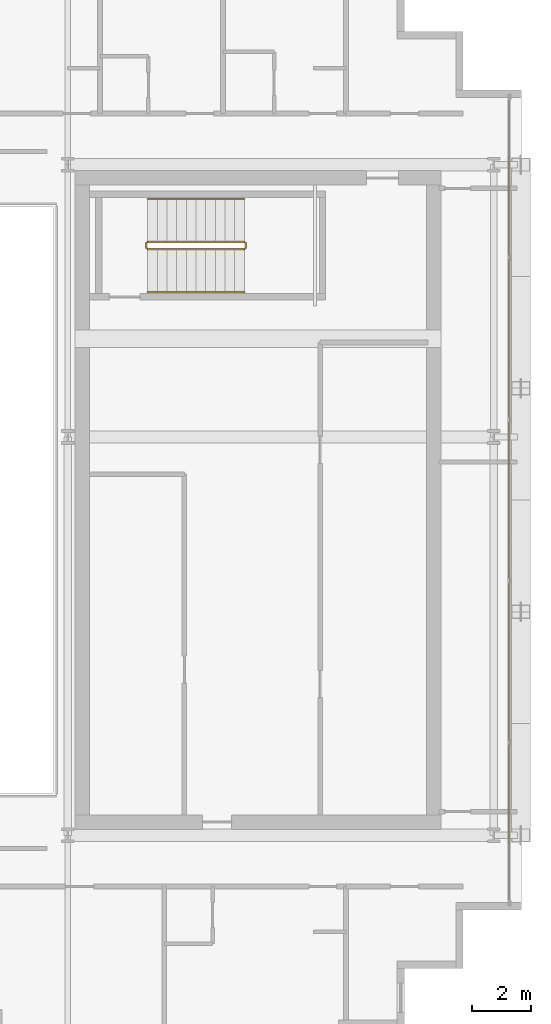
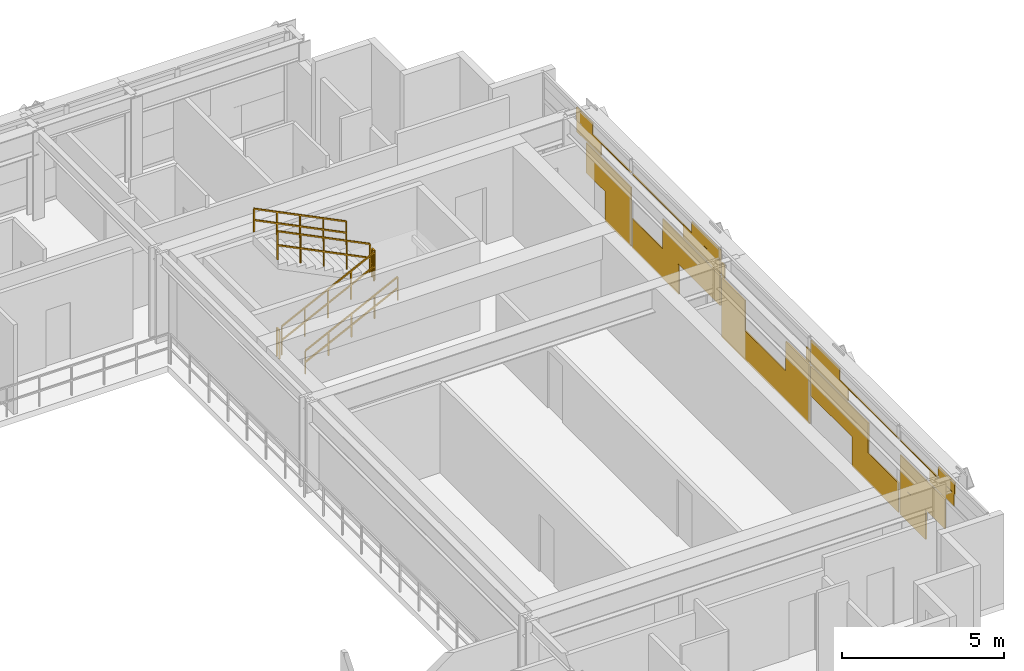
# One storey, part 31 of 32: 6 railings, 1 covering.
"""IFC4 building model written with IfcOpenShell, lengths in metres."""

from ifc_helpers import new_model, si_unit, direction, frame, origin, origin_2d, place, context, subcontext, project, spatial, rectangle, extrude, material, layer, layer_set, type_object, element, save


model = new_model("IFC4")

# Units and contexts
model_context = context("Model", 3, precision=1e-05, world=origin(), true_north=direction((0.0, 1.0)))
body_context = subcontext(model_context, "Body", "Model", "MODEL_VIEW")
ifc_project = project(units=[si_unit("LENGTHUNIT", "METRE"), si_unit("AREAUNIT", "SQUARE_METRE"), si_unit("VOLUMEUNIT", "CUBIC_METRE"), si_unit("PLANEANGLEUNIT", "RADIAN"), si_unit("MASSUNIT", "GRAM", prefix="KILO")], contexts=[model_context])

# Site, building, storey
site_placement = place(None, origin())
site = spatial("IfcSite", under=ifc_project, at=site_placement, CompositionType="ELEMENT")
building_placement = place(site_placement, origin())
building = spatial("IfcBuilding", under=site, at=building_placement, Name="Ocotamira Hotel", CompositionType="ELEMENT")
storey_placement = place(building_placement, frame((0.0, 0.0, 184.800048828125)))
storey = spatial("IfcBuildingStorey", under=building, at=storey_placement, Name="L46", CompositionType="ELEMENT", Elevation=184.800048828125)

# Covering
ifc_material_1 = material(Name="Insulated pale-metal aluminium spandrel panel", Category="aluminium")
ifc_layer = layer(ifc_material_1, 0.044921875)
ifc_layer_set = layer_set([ifc_layer], Name="Insulated pale-metal aluminium spandrel panel")
covering_type = type_object("IfcCoveringType", Name="COV-INFILL-45", PredefinedType="CLADDING", material=ifc_layer_set)
covering_placement = place(storey_placement, origin())
element("IfcCovering", 1, at=covering_placement, inside=storey, type_object=covering_type, Name="L46 Curtain Wall Infill CW-4 CW-L46-E", PredefinedType="CLADDING", context=body_context, shape_type="SweptSolid", body=[
    extrude(rectangle(XDim=2.782958984375, YDim=0.044921875, at=origin_2d()), frame((55.580078125, 16.2880859375, 1.19384765625), z_axis=(0.0, 0.0, 1.0), x_axis=(0.0, 1.0, 0.0)), (0.0, 0.0, 1.0), 1.117919921875),
    extrude(rectangle(XDim=1.596923828125, YDim=0.044921875, at=origin_2d()), frame((55.580078125, 16.881103515625, 0.0751953125), z_axis=(0.0, 0.0, 1.0), x_axis=(0.0, 1.0, 0.0)), (0.0, 0.0, 1.0), 1.117919921875),
    extrude(rectangle(XDim=3.38720703125, YDim=0.044921875, at=origin_2d()), frame((55.580078125, 15.98583984375, 2.8486328125), z_axis=(0.0, 0.0, 1.0), x_axis=(0.0, 1.0, 0.0)), (0.0, 0.0, 1.0), 0.033203125),
    extrude(rectangle(XDim=1.019287109375, YDim=0.044921875, at=origin_2d()), frame((55.580078125, 14.8017578125, 2.883056640625), z_axis=(0.0, 0.0, 1.0), x_axis=(0.0, 1.0, 0.0)), (0.0, 0.0, 1.0), 0.41162109375),
    extrude(rectangle(XDim=1.507568359375, YDim=0.044921875, at=origin_2d()), frame((55.580078125, 15.082275390625, 2.38818359375), z_axis=(0.0, 0.0, 1.0), x_axis=(0.0, 1.0, 0.0)), (0.0, 0.0, 1.0), 0.459716796875),
    extrude(rectangle(XDim=2.89013671875, YDim=0.044921875, at=origin_2d()), frame((55.580078125, 19.20556640625, 0.0751953125), z_axis=(0.0, 0.0, 1.0), x_axis=(0.0, 1.0, 0.0)), (0.0, 0.0, 1.0), 1.117919921875),
    extrude(rectangle(XDim=3.568115234375, YDim=0.044921875, at=origin_2d()), frame((55.580078125, 21.41552734375, 1.19384765625), z_axis=(0.0, 0.0, 1.0), x_axis=(0.0, 1.0, 0.0)), (0.0, 0.0, 1.0), 1.117919921875),
    extrude(rectangle(XDim=5.43896484375, YDim=0.044921875, at=origin_2d()), frame((55.580078125, 20.47998046875, 2.8486328125), z_axis=(0.0, 0.0, 1.0), x_axis=(0.0, 1.0, 0.0)), (0.0, 0.0, 1.0), 0.033203125),
    extrude(rectangle(XDim=2.302490234375, YDim=0.044921875, at=origin_2d()), frame((55.580078125, 22.04833984375, 2.38818359375), z_axis=(0.0, 0.0, 1.0), x_axis=(0.0, 1.0, 0.0)), (0.0, 0.0, 1.0), 0.459716796875),
    extrude(rectangle(XDim=1.777587890625, YDim=0.044921875, at=origin_2d()), frame((55.580078125, 22.310791015625, 2.883056640625), z_axis=(0.0, 0.0, 1.0), x_axis=(0.0, 1.0, 0.0)), (0.0, 0.0, 1.0), 0.41162109375),
    extrude(rectangle(XDim=5.43896484375, YDim=0.044921875, at=origin_2d()), frame((55.580078125, 26.0, 0.0751953125), z_axis=(0.0, 0.0, 1.0), x_axis=(0.0, 1.0, 0.0)), (0.0, 0.0, 1.0), 1.117919921875),
    extrude(rectangle(XDim=1.45458984375, YDim=0.044921875, at=origin_2d()), frame((55.580078125, 24.0078125, 1.19384765625), z_axis=(0.0, 0.0, 1.0), x_axis=(0.0, 1.0, 0.0)), (0.0, 0.0, 1.0), 1.117919921875),
    extrude(rectangle(XDim=1.45458984375, YDim=0.044921875, at=origin_2d()), frame((55.580078125, 27.9921875, 1.19384765625), z_axis=(0.0, 0.0, 1.0), x_axis=(0.0, 1.0, 0.0)), (0.0, 0.0, 1.0), 1.117919921875),
    extrude(rectangle(XDim=0.18896484375, YDim=0.044921875, at=origin_2d()), frame((55.580078125, 23.375, 2.38818359375), z_axis=(0.0, 0.0, 1.0), x_axis=(0.0, 1.0, 0.0)), (0.0, 0.0, 1.0), 0.493896484375),
    extrude(rectangle(XDim=0.18896484375, YDim=0.044921875, at=origin_2d()), frame((55.580078125, 28.625, 2.38818359375), z_axis=(0.0, 0.0, 1.0), x_axis=(0.0, 1.0, 0.0)), (0.0, 0.0, 1.0), 0.493896484375),
    extrude(rectangle(XDim=3.568115234375, YDim=0.044921875, at=origin_2d()), frame((55.580078125, 30.58447265625, 1.19384765625), z_axis=(0.0, 0.0, 1.0), x_axis=(0.0, 1.0, 0.0)), (0.0, 0.0, 1.0), 1.117919921875),
    extrude(rectangle(XDim=2.89013671875, YDim=0.044921875, at=origin_2d()), frame((55.580078125, 32.79443359375, 0.0751953125), z_axis=(0.0, 0.0, 1.0), x_axis=(0.0, 1.0, 0.0)), (0.0, 0.0, 1.0), 1.117919921875),
    extrude(rectangle(XDim=2.302490234375, YDim=0.044921875, at=origin_2d()), frame((55.580078125, 29.95166015625, 2.38818359375), z_axis=(0.0, 0.0, 1.0), x_axis=(0.0, 1.0, 0.0)), (0.0, 0.0, 1.0), 0.459716796875),
    extrude(rectangle(XDim=5.43896484375, YDim=0.044921875, at=origin_2d()), frame((55.580078125, 31.52001953125, 2.8486328125), z_axis=(0.0, 0.0, 1.0), x_axis=(0.0, 1.0, 0.0)), (0.0, 0.0, 1.0), 0.033203125),
    extrude(rectangle(XDim=1.777587890625, YDim=0.044921875, at=origin_2d()), frame((55.580078125, 29.689208984375, 2.883056640625), z_axis=(0.0, 0.0, 1.0), x_axis=(0.0, 1.0, 0.0)), (0.0, 0.0, 1.0), 0.41162109375),
    extrude(rectangle(XDim=1.596923828125, YDim=0.044921875, at=origin_2d()), frame((55.580078125, 35.118896484375, 0.0751953125), z_axis=(0.0, 0.0, 1.0), x_axis=(0.0, 1.0, 0.0)), (0.0, 0.0, 1.0), 1.117919921875),
    extrude(rectangle(XDim=2.782958984375, YDim=0.044921875, at=origin_2d()), frame((55.580078125, 35.7119140625, 1.19384765625), z_axis=(0.0, 0.0, 1.0), x_axis=(0.0, 1.0, 0.0)), (0.0, 0.0, 1.0), 1.117919921875),
    extrude(rectangle(XDim=3.38720703125, YDim=0.044921875, at=origin_2d()), frame((55.580078125, 36.01416015625, 2.8486328125), z_axis=(0.0, 0.0, 1.0), x_axis=(0.0, 1.0, 0.0)), (0.0, 0.0, 1.0), 0.033203125),
    extrude(rectangle(XDim=1.507568359375, YDim=0.044921875, at=origin_2d()), frame((55.580078125, 36.917724609375, 2.38818359375), z_axis=(0.0, 0.0, 1.0), x_axis=(0.0, 1.0, 0.0)), (0.0, 0.0, 1.0), 0.459716796875),
    extrude(rectangle(XDim=1.019287109375, YDim=0.044921875, at=origin_2d()), frame((55.580078125, 37.1982421875, 2.883056640625), z_axis=(0.0, 0.0, 1.0), x_axis=(0.0, 1.0, 0.0)), (0.0, 0.0, 1.0), 0.41162109375),
])

# Railings
ifc_material_2 = material(Name="Brushed stainless steel handrail", Category="steel")
railing_type_1 = type_object("IfcRailingType", Name="RL-HAND-900", PredefinedType="HANDRAIL", material=ifc_material_2)
railing_1_placement = place(storey_placement, frame((43.22998046875, 33.10009765625, 0.3271484375)))
element("IfcRailing", 2, at=railing_1_placement, inside=storey, type_object=railing_type_1, Name="L46 ST-4 stair handrail 1", PredefinedType="HANDRAIL", context=body_context, shape_type="SweptSolid", body=[
    extrude(rectangle(XDim=0.048095703125, YDim=0.048095703125, at=origin_2d()), frame((0.0, 0.0, 0.8759765625), z_axis=(0.895893744519, 0.0, 0.4442683857), x_axis=(0.0, 1.0, 0.0)), (0.0, 0.0, 1.0), 3.68359375),
    extrude(rectangle(XDim=0.048095703125, YDim=0.048095703125, at=origin_2d()), frame((0.0, 0.0, 0.449951171875), z_axis=(0.895893744519, 0.0, 0.4442683857), x_axis=(0.0, 1.0, 0.0)), (0.0, 0.0, 1.0), 3.68359375),
    extrude(rectangle(XDim=0.0419921875, YDim=0.0419921875, at=origin_2d()), origin(), (0.0, 0.0, 1.0), 0.851806640625),
    extrude(rectangle(XDim=0.0419921875, YDim=0.0419921875, at=origin_2d()), frame((0.824951171875, 0.0, 0.4091796875)), (0.0, 0.0, 1.0), 0.851806640625),
    extrude(rectangle(XDim=0.0419921875, YDim=0.0419921875, at=origin_2d()), frame((1.64990234375, 0.0, 0.818359375)), (0.0, 0.0, 1.0), 0.851806640625),
    extrude(rectangle(XDim=0.0419921875, YDim=0.0419921875, at=origin_2d()), frame((2.47509765625, 0.0, 1.227294921875)), (0.0, 0.0, 1.0), 0.851806640625),
    extrude(rectangle(XDim=0.0419921875, YDim=0.0419921875, at=origin_2d()), frame((3.300048828125, 0.0, 1.636474609375)), (0.0, 0.0, 1.0), 0.851806640625),
])
railing_2_placement = place(storey_placement, frame((46.530029296875, 36.280029296875, 2.127197265625)))
element("IfcRailing", 3, at=railing_2_placement, inside=storey, type_object=railing_type_1, Name="L46 ST-4 stair handrail 2", PredefinedType="HANDRAIL", context=body_context, shape_type="SweptSolid", body=[
    extrude(rectangle(XDim=0.048095703125, YDim=0.048095703125, at=origin_2d()), frame((0.0, 0.0, 0.8759765625), z_axis=(-0.895893744519, 0.0, 0.4442683857), x_axis=(0.0, -1.0, 0.0)), (0.0, 0.0, 1.0), 3.68359375),
    extrude(rectangle(XDim=0.048095703125, YDim=0.048095703125, at=origin_2d()), frame((0.0, 0.0, 0.449951171875), z_axis=(-0.895893744519, 0.0, 0.4442683857), x_axis=(0.0, -1.0, 0.0)), (0.0, 0.0, 1.0), 3.68359375),
    extrude(rectangle(XDim=0.0419921875, YDim=0.0419921875, at=origin_2d()), origin(), (0.0, 0.0, 1.0), 0.851806640625),
    extrude(rectangle(XDim=0.0419921875, YDim=0.0419921875, at=origin_2d()), frame((-0.824951171875, 0.0, 0.4091796875)), (0.0, 0.0, 1.0), 0.851806640625),
    extrude(rectangle(XDim=0.0419921875, YDim=0.0419921875, at=origin_2d()), frame((-1.64990234375, 0.0, 0.818359375)), (0.0, 0.0, 1.0), 0.851806640625),
    extrude(rectangle(XDim=0.0419921875, YDim=0.0419921875, at=origin_2d()), frame((-2.47509765625, 0.0, 1.227294921875)), (0.0, 0.0, 1.0), 0.851806640625),
    extrude(rectangle(XDim=0.0419921875, YDim=0.0419921875, at=origin_2d()), frame((-3.300048828125, 0.0, 1.636474609375)), (0.0, 0.0, 1.0), 0.851806640625),
])
ifc_material_3 = material(Name="Painted steel stair guardrail", Category="steel")
railing_type_2 = type_object("IfcRailingType", Name="RL-STAIR-1100", PredefinedType="GUARDRAIL", material=ifc_material_3)
railing_3_placement = place(storey_placement, frame((43.22998046875, 34.56005859375, 0.16357421875)))
element("IfcRailing", 4, at=railing_3_placement, inside=storey, type_object=railing_type_2, Name="L46 ST-4 stair guard 1", PredefinedType="GUARDRAIL", context=body_context, shape_type="SweptSolid", body=[
    extrude(rectangle(XDim=0.048095703125, YDim=0.048095703125, at=origin_2d()), frame((0.0, 0.0, 1.076171875), z_axis=(0.895893744519, 0.0, 0.4442683857), x_axis=(0.0, 1.0, 0.0)), (0.0, 0.0, 1.0), 3.68359375),
    extrude(rectangle(XDim=0.048095703125, YDim=0.048095703125, at=origin_2d()), frame((0.0, 0.0, 0.550048828125), z_axis=(0.895893744519, 0.0, 0.4442683857), x_axis=(0.0, 1.0, 0.0)), (0.0, 0.0, 1.0), 3.68359375),
    extrude(rectangle(XDim=0.0419921875, YDim=0.0419921875, at=origin_2d()), origin(), (0.0, 0.0, 1.0), 1.052001953125),
    extrude(rectangle(XDim=0.0419921875, YDim=0.0419921875, at=origin_2d()), frame((0.824951171875, 0.0, 0.4091796875)), (0.0, 0.0, 1.0), 1.052001953125),
    extrude(rectangle(XDim=0.0419921875, YDim=0.0419921875, at=origin_2d()), frame((1.64990234375, 0.0, 0.818359375)), (0.0, 0.0, 1.0), 1.052001953125),
    extrude(rectangle(XDim=0.0419921875, YDim=0.0419921875, at=origin_2d()), frame((2.47509765625, 0.0, 1.227294921875)), (0.0, 0.0, 1.0), 1.052001953125),
    extrude(rectangle(XDim=0.0419921875, YDim=0.0419921875, at=origin_2d()), frame((3.300048828125, 0.0, 1.636474609375)), (0.0, 0.0, 1.0), 1.052001953125),
])
railing_4_placement = place(storey_placement, frame((46.580078125, 34.610107421875, 1.800048828125)))
element("IfcRailing", 5, at=railing_4_placement, inside=storey, type_object=railing_type_2, Name="L46 ST-4 stair guard 2", PredefinedType="GUARDRAIL", context=body_context, shape_type="SweptSolid", body=[
    extrude(rectangle(XDim=0.048095703125, YDim=0.048095703125, at=origin_2d()), frame((0.0, 0.0, 1.076171875), z_axis=(0.0, 1.0, 0.0), x_axis=(-1.0, 0.0, 0.0)), (0.0, 0.0, 1.0), 0.159912109375),
    extrude(rectangle(XDim=0.048095703125, YDim=0.048095703125, at=origin_2d()), frame((0.0, 0.0, 0.550048828125), z_axis=(0.0, 1.0, 0.0), x_axis=(-1.0, 0.0, 0.0)), (0.0, 0.0, 1.0), 0.159912109375),
    extrude(rectangle(XDim=0.0419921875, YDim=0.0419921875, at=origin_2d()), origin(), (0.0, 0.0, 1.0), 1.052001953125),
    extrude(rectangle(XDim=0.0419921875, YDim=0.0419921875, at=origin_2d()), frame((0.0, 0.159912109375, 0.0)), (0.0, 0.0, 1.0), 1.052001953125),
])
railing_5_placement = place(storey_placement, frame((46.530029296875, 34.820068359375, 1.963623046875)))
element("IfcRailing", 6, at=railing_5_placement, inside=storey, type_object=railing_type_2, Name="L46 ST-4 stair guard 3", PredefinedType="GUARDRAIL", context=body_context, shape_type="SweptSolid", body=[
    extrude(rectangle(XDim=0.048095703125, YDim=0.048095703125, at=origin_2d()), frame((0.0, 0.0, 1.076171875), z_axis=(-0.895920123917, 0.0, 0.444215186098), x_axis=(0.0, -1.0, 0.0)), (0.0, 0.0, 1.0), 3.683349609375),
    extrude(rectangle(XDim=0.048095703125, YDim=0.048095703125, at=origin_2d()), frame((0.0, 0.0, 0.550048828125), z_axis=(-0.895920123917, 0.0, 0.444215186098), x_axis=(0.0, -1.0, 0.0)), (0.0, 0.0, 1.0), 3.683349609375),
    extrude(rectangle(XDim=0.0419921875, YDim=0.0419921875, at=origin_2d()), origin(), (0.0, 0.0, 1.0), 1.052001953125),
    extrude(rectangle(XDim=0.0419921875, YDim=0.0419921875, at=origin_2d()), frame((-0.824951171875, 0.0, 0.4091796875)), (0.0, 0.0, 1.0), 1.052001953125),
    extrude(rectangle(XDim=0.0419921875, YDim=0.0419921875, at=origin_2d()), frame((-1.64990234375, 0.0, 0.818115234375)), (0.0, 0.0, 1.0), 1.052001953125),
    extrude(rectangle(XDim=0.0419921875, YDim=0.0419921875, at=origin_2d()), frame((-2.47509765625, 0.0, 1.22705078125)), (0.0, 0.0, 1.0), 1.052001953125),
    extrude(rectangle(XDim=0.0419921875, YDim=0.0419921875, at=origin_2d()), frame((-3.300048828125, 0.0, 1.63623046875)), (0.0, 0.0, 1.0), 1.052001953125),
])
railing_6_placement = place(storey_placement, frame((43.179931640625, 34.610107421875, 0.0)))
element("IfcRailing", 7, at=railing_6_placement, inside=storey, type_object=railing_type_2, Name="L46 ST-4 stair guard 4", PredefinedType="GUARDRAIL", context=body_context, shape_type="SweptSolid", body=[
    extrude(rectangle(XDim=0.048095703125, YDim=0.048095703125, at=origin_2d()), frame((0.0, 0.0, 1.076171875), z_axis=(0.0, 1.0, 0.0), x_axis=(-1.0, 0.0, 0.0)), (0.0, 0.0, 1.0), 0.159912109375),
    extrude(rectangle(XDim=0.048095703125, YDim=0.048095703125, at=origin_2d()), frame((0.0, 0.0, 0.550048828125), z_axis=(0.0, 1.0, 0.0), x_axis=(-1.0, 0.0, 0.0)), (0.0, 0.0, 1.0), 0.159912109375),
    extrude(rectangle(XDim=0.0419921875, YDim=0.0419921875, at=origin_2d()), origin(), (0.0, 0.0, 1.0), 1.052001953125),
    extrude(rectangle(XDim=0.0419921875, YDim=0.0419921875, at=origin_2d()), frame((0.0, 0.159912109375, 0.0)), (0.0, 0.0, 1.0), 1.052001953125),
])

save(model, "model.ifc")
